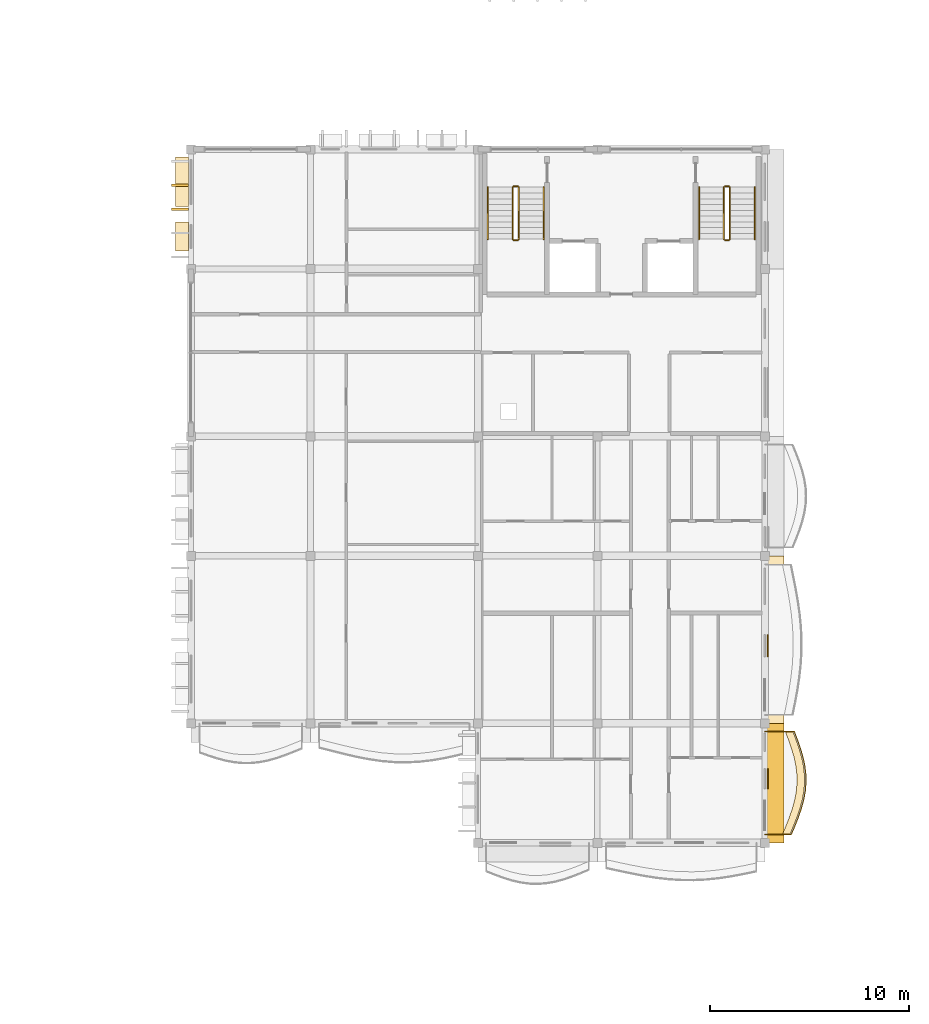
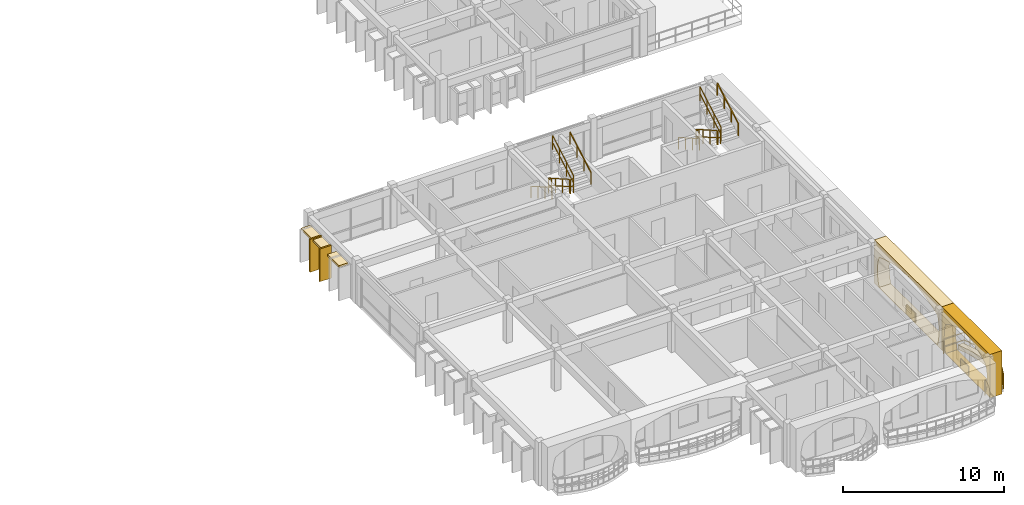
# One storey, part 64 of 68: 13 railings, 9 coverings.
"""IFC4 building model written with IfcOpenShell, lengths in metres."""

import ifcopenshell
import ifcopenshell.guid

model = None  # the IFC model being written
_history = None  # IfcOwnerHistory: only IFC2X3 demands one
_inside = {}  # id of a spatial element -> (the spatial element, [elements in it])
_under = {}  # id of a project, library or spatial element -> (it, [spatial elements below it])
_declared = {}  # id of a project -> (the project, [libraries it declares])
_typed = {}  # id of a type object -> (the type object, [elements of that type])
_made_of = {}  # id of a material, layer set ... -> (it, [elements and type objects made of it])


def new_model(schema):
    """Start an empty IFC model of exactly this schema.

    Asked for "IFC4X3", IfcOpenShell would pick the latest addendum, in which some entities
    have other attributes; the version numbers below select the first issue.
    IFC2X3 requires an IfcOwnerHistory on every rooted entity: one is made here for all.
    """
    global model, _history
    if schema == "IFC4X3":
        model = ifcopenshell.file(schema_version=(4, 3, 0, 0))
    else:
        model = ifcopenshell.file(schema=schema)
    _inside.clear()
    _under.clear()
    _declared.clear()
    _typed.clear()
    _made_of.clear()
    _history = None
    if model.schema == "IFC2X3":
        org = make("IfcOrganization", Name="unknown")
        user = make(
            "IfcPersonAndOrganization",
            ThePerson=make("IfcPerson", FamilyName="unknown"),
            TheOrganization=org,
        )
        app = make(
            "IfcApplication",
            ApplicationDeveloper=org,
            Version="unknown",
            ApplicationFullName="unknown",
            ApplicationIdentifier="unknown",
        )
        _history = make(
            "IfcOwnerHistory",
            OwningUser=user,
            OwningApplication=app,
            ChangeAction="ADDED",
            CreationDate=0,
        )
    return model


def make(cls, **values):
    """One entity of the class cls with the attributes given. An attribute that is None is left unset."""
    return model.create_entity(
        cls, **{name: value for name, value in values.items() if value is not None}
    )


def rooted(cls, **values):
    """An entity with a GlobalId (a new one), such as an element, a storey or a relation."""
    return make(cls, GlobalId=ifcopenshell.guid.new(), OwnerHistory=_history, **values)


def si_unit(unit_type, name, prefix=None):
    """IfcSIUnit, for example si_unit("LENGTHUNIT", "METRE", prefix="MILLI")."""
    return make("IfcSIUnit", UnitType=unit_type, Prefix=prefix, Name=name)


def assignment(units):
    """IfcUnitAssignment: the units of a project."""
    return None if units is None else make("IfcUnitAssignment", Units=units)


def point(xyz):
    """IfcCartesianPoint."""
    return None if xyz is None else make("IfcCartesianPoint", Coordinates=xyz)


def direction(xyz):
    """IfcDirection."""
    return None if xyz is None else make("IfcDirection", DirectionRatios=xyz)


def frame(location, z_axis=None, x_axis=None):
    """IfcAxis2Placement3D, a coordinate frame: its origin and axes. An axis left out is left unset."""
    return make(
        "IfcAxis2Placement3D",
        Location=point(location),
        Axis=direction(z_axis),
        RefDirection=direction(x_axis),
    )


def frame_2d(location, x_axis=None):
    """IfcAxis2Placement2D, a coordinate frame in the plane: its origin and x axis."""
    return make(
        "IfcAxis2Placement2D", Location=point(location), RefDirection=direction(x_axis)
    )


def origin():
    """The frame at (0, 0, 0) with its axes left unset."""
    return frame((0.0, 0.0, 0.0))


def origin_2d():
    """The frame at (0, 0) in the plane with its x axis left unset."""
    return frame_2d((0.0, 0.0))


def place(relative_to, where):
    """IfcLocalPlacement: puts the frame where relative to a parent placement (None: the world)."""
    return make(
        "IfcLocalPlacement", PlacementRelTo=relative_to, RelativePlacement=where
    )


def context(
    kind, dimensions, precision=None, world=None, true_north=None, identifier=None
):
    """IfcGeometricRepresentationContext, for example the 3D "Model" context."""
    return make(
        "IfcGeometricRepresentationContext",
        ContextIdentifier=identifier,
        ContextType=kind,
        CoordinateSpaceDimension=dimensions,
        Precision=precision,
        WorldCoordinateSystem=world,
        TrueNorth=true_north,
    )


def subcontext(parent, identifier, kind, view, scale=None):
    """IfcGeometricRepresentationSubContext, for example "Body" below "Model"."""
    return make(
        "IfcGeometricRepresentationSubContext",
        ContextIdentifier=identifier,
        ContextType=kind,
        ParentContext=parent,
        TargetScale=scale,
        TargetView=view,
    )


def project(units=None, contexts=None):
    """IfcProject with its units and contexts."""
    return rooted(
        "IfcProject",
        Name="project",
        RepresentationContexts=contexts,
        UnitsInContext=assignment(units),
    )


def spatial(cls, under=None, at=None, **own):
    """A site, building, storey or space (cls), placed at a placement, below another one or the project."""
    s = rooted(cls, ObjectPlacement=at, **own)
    if under is not None:
        _under.setdefault(under.id(), (under, []))[1].append(s)
    return s


def polyline(points):
    """IfcPolyline through the points."""
    return make("IfcPolyline", Points=[point(p) for p in points])


def profile(cls, at=None, kind="AREA", **sizes):
    """A parametric profile (cls). Its sizes go by their IFC names, for example OverallWidth=200.0."""
    return make(cls, ProfileType=kind, Position=at, **sizes)


def rectangle(**sizes):
    """IfcRectangleProfileDef."""
    return profile("IfcRectangleProfileDef", **sizes)


def outline(outer, holes=None, kind="AREA"):
    """IfcArbitraryClosedProfileDef: a profile drawn as a closed curve; with holes, ...WithVoids."""
    if holes is None:
        return make("IfcArbitraryClosedProfileDef", ProfileType=kind, OuterCurve=outer)
    return make(
        "IfcArbitraryProfileDefWithVoids",
        ProfileType=kind,
        OuterCurve=outer,
        InnerCurves=holes,
    )


def extrude(swept, where, along, depth):
    """IfcExtrudedAreaSolid: the profile swept, set in the frame where, extruded along a direction by depth."""
    return make(
        "IfcExtrudedAreaSolid",
        SweptArea=swept,
        Position=where,
        ExtrudedDirection=direction(along),
        Depth=depth,
    )


def shape(context_of_items, identifier, shape_type, items):
    """IfcShapeRepresentation: the items that make up one representation, for example the "Body"."""
    return make(
        "IfcShapeRepresentation",
        ContextOfItems=context_of_items,
        RepresentationIdentifier=identifier,
        RepresentationType=shape_type,
        Items=items,
    )


def material(Name=None, Category=None):
    """IfcMaterial."""
    return make("IfcMaterial", Name=Name, Category=Category)


def layer(
    of_material, thickness, ventilated=None, Name=None, Category=None, Priority=None
):
    """IfcMaterialLayer: one layer of a wall or slab, of a material (None: an air gap)."""
    return make(
        "IfcMaterialLayer",
        Material=of_material,
        LayerThickness=thickness,
        IsVentilated=ventilated,
        Name=Name,
        Category=Category,
        Priority=Priority,
    )


def layer_set(layers, Name=None):
    """IfcMaterialLayerSet."""
    return make("IfcMaterialLayerSet", MaterialLayers=layers, LayerSetName=Name)


def made_of(thing, what):
    """Note that an element or type object is made of a material, layer set ...; save() writes the relation."""
    if what is not None:
        _made_of.setdefault(what.id(), (what, []))[1].append(thing)
    return thing


def type_object(cls, material=None, **own):
    """A type object (cls), such as IfcWallType, which elements share."""
    return made_of(rooted(cls, **own), material)


def element(
    cls,
    number,
    at=None,
    inside=None,
    cuts=None,
    type_object=None,
    material=None,
    context=None,
    identifier="Body",
    shape_type=None,
    held_by="IfcProductDefinitionShape",
    body=None,
    shapes=None,
    **own,
):
    """One element of the class cls, such as IfcWall. Its Tag is "e" and its number.

    at: its placement. inside: the storey or other place that contains it. cuts: it is an
    opening in that element (IfcRelVoidsElement). A single representation is given by context,
    identifier, shape_type and body (its items); several are given by shapes. held_by: the class
    of the entity that holds the representations. save() writes the other relations.
    """
    e = rooted(cls, Tag="e%d" % number, ObjectPlacement=at, **own)
    if body is not None:
        shapes = [shape(context, identifier, shape_type, body)]
    if shapes is not None:
        e.Representation = make(held_by, Representations=shapes)
    if inside is not None:
        _inside.setdefault(inside.id(), (inside, []))[1].append(e)
    if cuts is not None:
        rooted(
            "IfcRelVoidsElement", RelatingBuildingElement=cuts, RelatedOpeningElement=e
        )
    if type_object is not None:
        _typed.setdefault(type_object.id(), (type_object, []))[1].append(e)
    return made_of(e, material)


def aggregate(whole, parts):
    """IfcRelAggregates: a whole, such as a stair, and the parts it consists of."""
    return rooted("IfcRelAggregates", RelatingObject=whole, RelatedObjects=parts)


def save(model, path):
    """Write the relations noted so far, then the file.

    IfcRelAggregates (storeys below a building ...), IfcRelContainedInSpatialStructure (elements
    in a storey), IfcRelDefinesByType, IfcRelAssociatesMaterial and IfcRelDeclares: one each for
    every whole, place, type object, material and project.
    """
    for whole, parts in _under.values():
        aggregate(whole, parts)
    for where, things in _inside.values():
        rooted(
            "IfcRelContainedInSpatialStructure",
            RelatedElements=things,
            RelatingStructure=where,
        )
    for kind, things in _typed.values():
        rooted("IfcRelDefinesByType", RelatedObjects=things, RelatingType=kind)
    for what, things in _made_of.values():
        rooted("IfcRelAssociatesMaterial", RelatedObjects=things, RelatingMaterial=what)
    for by, libraries in _declared.values():
        rooted("IfcRelDeclares", RelatingContext=by, RelatedDefinitions=libraries)
    model.write(path)


model = new_model("IFC4")

# Units and contexts
model_context = context("Model", 3, precision=1e-05, world=origin(), true_north=direction((0.0, 1.0)))
body_context = subcontext(model_context, "Body", "Model", "MODEL_VIEW")
ifc_project = project(units=[si_unit("LENGTHUNIT", "METRE"), si_unit("AREAUNIT", "SQUARE_METRE"), si_unit("VOLUMEUNIT", "CUBIC_METRE"), si_unit("PLANEANGLEUNIT", "RADIAN"), si_unit("MASSUNIT", "GRAM", prefix="KILO"), si_unit("THERMODYNAMICTEMPERATUREUNIT", "KELVIN")], contexts=[model_context])

# Site, building, storey
site_placement = place(None, origin())
site = spatial("IfcSite", under=ifc_project, at=site_placement, CompositionType="ELEMENT")
building_placement = place(site_placement, origin())
building = spatial("IfcBuilding", under=site, at=building_placement, Name="Thalorik Housing Commons", CompositionType="ELEMENT")
storey_placement = place(building_placement, frame((0.0, 0.0, 24.60009765625)))
storey = spatial("IfcBuildingStorey", under=building, at=storey_placement, Name="L07", CompositionType="ELEMENT", Elevation=24.60009765625)

# Coverings
ifc_material_1 = material(Name="Cobalt blue glazed ceramic facade tile panel", Category="masonry")
ifc_layer_1 = layer(ifc_material_1, 0.06005859375, Name="Cobalt blue glazed ceramic facade tile panel", Category="masonry")
ifc_layer_set_1 = layer_set([ifc_layer_1], Name="Cobalt blue glazed ceramic facade tile panel")
covering_type_1 = type_object("IfcCoveringType", Name="ARC-CLD-BLU-60", PredefinedType="CLADDING", material=ifc_layer_set_1)
covering_1_placement = place(storey_placement, frame((166.952392578125, 47.10009765625, 0.0498046875), z_axis=(0.0, 0.0, 1.0), x_axis=(0.0, 1.0, 0.0)))
element("IfcCovering", 1, at=covering_1_placement, inside=storey, type_object=covering_type_1, Name="L07 De Stijl Recessed Window Spandrel 5037", PredefinedType="CLADDING", context=body_context, shape_type="SweptSolid", body=[
    extrude(rectangle(XDim=1.10009765625, YDim=0.06005859375, at=origin_2d()), origin(), (0.0, 0.0, 1.0), 0.699951171875),
])
ifc_material_2 = material(Name="Precast concrete C40/50", Category="concrete")
ifc_layer_2 = layer(ifc_material_2, 0.85009765625, Name="Precast concrete C40/50", Category="concrete")
ifc_layer_set_2 = layer_set([ifc_layer_2], Name="Precast concrete C40/50")
covering_type_2 = type_object("IfcCoveringType", Name="ARC-CLD-CUSH-850", PredefinedType="CLADDING", material=ifc_layer_set_2)
covering_2_placement = place(storey_placement, frame((167.342529296875, 40.199951171875, 0.0), z_axis=(0.0, 0.0, 1.0), x_axis=(0.0, 1.0, 0.0)))
element("IfcCovering", 2, at=covering_2_placement, inside=storey, type_object=covering_type_2, Name="L07 White Precast Curved Cushion Bay Frame 5034", PredefinedType="CLADDING", context=body_context, shape_type="SweptSolid", body=[
    extrude(outline(polyline([(-3.0, 0.0), (3.0, 0.0), (3.0, 3.300048828125), (-3.0, 3.300048828125), (-3.0, 0.0)]), holes=[polyline([(2.537841796875, 0.02490234375), (2.635498046875, 0.394287109375), (2.69384765625, 0.76318359375), (2.71337890625, 1.132568359375), (2.69384765625, 1.501708984375), (2.635498046875, 1.870849609375), (2.537841796875, 2.239990234375), (2.123779296875, 2.4833984375), (1.709716796875, 2.6748046875), (1.2958984375, 2.82958984375), (0.8818359375, 2.94482421875), (0.468017578125, 3.01611328125), (0.053955078125, 3.0400390625), (-0.360107421875, 3.01611328125), (-0.774169921875, 2.94482421875), (-1.18798828125, 2.82958984375), (-1.60205078125, 2.6748046875), (-2.01611328125, 2.4833984375), (-2.429931640625, 2.239990234375), (-2.55029296875, 1.870849609375), (-2.62255859375, 1.501708984375), (-2.646484375, 1.132568359375), (-2.62255859375, 0.76318359375), (-2.55029296875, 0.394287109375), (-2.429931640625, 0.02490234375), (2.537841796875, 0.02490234375)])]), frame((0.0, 0.425048828125, 0.0), z_axis=(0.0, -1.0, 0.0), x_axis=(1.0, 0.0, 0.0)), (0.0, 0.0, 1.0), 0.85009765625),
])
covering_3_placement = place(storey_placement, frame((167.342529296875, 47.39990234375, 0.0), z_axis=(0.0, 0.0, 1.0), x_axis=(0.0, 1.0, 0.0)))
element("IfcCovering", 3, at=covering_3_placement, inside=storey, type_object=covering_type_2, Name="L07 White Precast Curved Cushion Bay Frame 5036", PredefinedType="CLADDING", context=body_context, shape_type="SweptSolid", body=[
    extrude(outline(polyline([(-4.199951171875, 0.0), (4.199951171875, 0.0), (4.199951171875, 3.300048828125), (-4.199951171875, 3.300048828125), (-4.199951171875, 0.0)]), holes=[polyline([(3.6201171875, 0.02490234375), (3.742431640625, 0.407470703125), (3.81591796875, 0.7900390625), (3.84033203125, 1.172607421875), (3.81591796875, 1.554931640625), (3.742431640625, 1.9375), (3.6201171875, 2.320068359375), (3.015869140625, 2.539306640625), (2.41162109375, 2.711181640625), (1.8076171875, 2.8505859375), (1.203369140625, 2.954345703125), (0.59912109375, 3.018310546875), (-0.0048828125, 3.0400390625), (-0.609130859375, 3.018310546875), (-1.21337890625, 2.954345703125), (-1.8173828125, 2.8505859375), (-2.421630859375, 2.711181640625), (-3.02587890625, 2.539306640625), (-3.6298828125, 2.320068359375), (-3.750244140625, 1.9375), (-3.822509765625, 1.554931640625), (-3.8466796875, 1.172607421875), (-3.822509765625, 0.7900390625), (-3.750244140625, 0.407470703125), (-3.6298828125, 0.02490234375), (3.6201171875, 0.02490234375)])]), frame((0.0, 0.425048828125, 0.0), z_axis=(0.0, -1.0, 0.0), x_axis=(1.0, 0.0, 0.0)), (0.0, 0.0, 1.0), 0.85009765625),
])
ifc_layer_3 = layer(ifc_material_2, 0.85009765625, Name="Precast concrete C40/50", Category="concrete")
ifc_layer_set_3 = layer_set([ifc_layer_3], Name="Precast concrete C40/50")
covering_type_3 = type_object("IfcCoveringType", Name="ARC-CLD-FIN-850", PredefinedType="CLADDING", material=ifc_layer_set_3)
for number, where, z_axis, x_axis, name in (
    (4, (137.45751953125, 70.199951171875, 0.039794921875), (0.0, 0.0, 1.0), (0.0, -1.0, 0.0), "L07 Courtyard Precast Vertical Brise-Soleil Fin 4997"),
    (5, (137.45751953125, 69.0, 0.039794921875), (0.0, 0.0, 1.0), (0.0, -1.0, 0.0), "L07 Courtyard Precast Vertical Brise-Soleil Fin 4998"),
):
    element("IfcCovering", number, at=place(storey_placement, frame(where, z_axis=z_axis, x_axis=x_axis)), inside=storey, type_object=covering_type_3, Name=name, PredefinedType="CLADDING", context=body_context, shape_type="SweptSolid", body=[
        extrude(rectangle(XDim=0.110107421875, YDim=0.85009765625, at=origin_2d()), origin(), (0.0, 0.0, 1.0), 2.4951171875),
    ])
ifc_layer_4 = layer(ifc_material_2, 0.64990234375, Name="Precast concrete C40/50", Category="concrete")
ifc_layer_set_4 = layer_set([ifc_layer_4], Name="Precast concrete C40/50")
covering_type_4 = type_object("IfcCoveringType", Name="ARC-CLD-HOOD-650", PredefinedType="CLADDING", material=ifc_layer_set_4)
covering_4_placement = place(storey_placement, frame((137.5576171875, 70.3701171875, 2.31005859375), z_axis=(0.0, 0.0, 1.0), x_axis=(0.0, -1.0, 0.0)))
element("IfcCovering", 6, at=covering_4_placement, inside=storey, type_object=covering_type_4, Name="L07 Courtyard Precast Window Sun-Hood 5001", PredefinedType="CLADDING", context=body_context, shape_type="SweptSolid", body=[
    extrude(rectangle(XDim=2.47998046875, YDim=0.64990234375, at=origin_2d()), origin(), (0.0, 0.0, 1.0), 0.139892578125),
])
covering_5_placement = place(storey_placement, frame((137.5576171875, 67.6298828125, 2.2900390625), z_axis=(0.0, 0.0, 1.0), x_axis=(0.0, -1.0, 0.0)))
element("IfcCovering", 7, at=covering_5_placement, inside=storey, type_object=covering_type_4, Name="L07 Courtyard Precast Window Sun-Hood 5002", PredefinedType="CLADDING", context=body_context, shape_type="SweptSolid", body=[
    extrude(rectangle(XDim=1.43994140625, YDim=0.64990234375, at=origin_2d()), origin(), (0.0, 0.0, 1.0), 0.139892578125),
])
ifc_material_3 = material(Name="Terracotta red mineral fibre-cement panel", Category="masonry")
ifc_layer_5 = layer(ifc_material_3, 0.054931640625, Name="Terracotta red mineral fibre-cement panel", Category="masonry")
ifc_layer_set_5 = layer_set([ifc_layer_5], Name="Terracotta red mineral fibre-cement panel")
covering_type_5 = type_object("IfcCoveringType", Name="ARC-CLD-RED-55", PredefinedType="CLADDING", material=ifc_layer_set_5)
covering_6_placement = place(storey_placement, frame((166.949951171875, 40.417724609375, 0.0498046875), z_axis=(0.0, 0.0, 1.0), x_axis=(0.0, 1.0, 0.0)))
element("IfcCovering", 8, at=covering_6_placement, inside=storey, type_object=covering_type_5, Name="L07 De Stijl Recessed Window Spandrel 5035", PredefinedType="CLADDING", context=body_context, shape_type="SweptSolid", body=[
    extrude(rectangle(XDim=1.0, YDim=0.054931640625, at=origin_2d()), origin(), (0.0, 0.0, 1.0), 0.699951171875),
])
ifc_material_4 = material(Name="Planted vegetated substrate and terracotta trough", Category="masonry")
ifc_layer_6 = layer(ifc_material_4, 0.340087890625, Name="Planted vegetated substrate and terracotta trough", Category="masonry")
ifc_layer_set_6 = layer_set([ifc_layer_6], Name="Planted vegetated substrate and terracotta trough")
covering_type_6 = type_object("IfcCoveringType", Name="ARC-COV-PLANTER", PredefinedType="USERDEFINED", material=ifc_layer_set_6)
covering_7_placement = place(storey_placement, origin())
element("IfcCovering", 9, at=covering_7_placement, inside=storey, type_object=covering_type_6, Name="L07 Balcony Slab-Edge Planted Trough 5689", ObjectType="PLANTER", PredefinedType="USERDEFINED", context=body_context, shape_type="SweptSolid", body=[
    extrude(outline(polyline([(168.059326171875, 37.6201171875), (168.2392578125, 38.050048828125), (168.4091796875, 38.47998046875), (168.55810546875, 38.909912109375), (168.676513671875, 39.340087890625), (168.757080078125, 39.77001953125), (168.795166015625, 40.199951171875), (168.78857421875, 40.6298828125), (168.738037109375, 41.06005859375), (168.647705078125, 41.489990234375), (168.52392578125, 41.919921875), (168.375, 42.35009765625), (168.211181640625, 42.780029296875), (167.831298828125, 42.780029296875), (167.9951171875, 42.35009765625), (168.143798828125, 41.919921875), (168.267822265625, 41.489990234375), (168.358154296875, 41.06005859375), (168.408447265625, 40.6298828125), (168.4150390625, 40.199951171875), (168.377197265625, 39.77001953125), (168.29638671875, 39.340087890625), (168.177978515625, 38.909912109375), (168.029296875, 38.47998046875), (167.859375, 38.050048828125), (167.67919921875, 37.6201171875), (168.059326171875, 37.6201171875)])), origin(), (0.0, 0.0, 1.0), 0.33984375),
])

# Railings
ifc_material_5 = material(Name="Steel S355", Category="steel")
railing_type_1 = type_object("IfcRailingType", Name="ARC-RL-BAL-115", PredefinedType="BALUSTRADE", material=ifc_material_5)
railing_1_placement = place(storey_placement, frame((166.800048828125, 37.6201171875, 0.0)))
element("IfcRailing", 10, at=railing_1_placement, inside=storey, type_object=railing_type_1, Name="L07 Cushion Balcony Guardrail 373", PredefinedType="BALUSTRADE", context=body_context, shape_type="SweptSolid", body=[
    extrude(rectangle(XDim=0.050048828125, YDim=0.050048828125, at=origin_2d()), frame((0.0, 0.0, 1.125), z_axis=(1.0, 0.0, 0.0), x_axis=(0.0, 1.0, 0.0)), (0.0, 0.0, 1.0), 1.329345703125),
    extrude(rectangle(XDim=0.050048828125, YDim=0.050048828125, at=origin_2d()), frame((0.0, 0.0, 0.5498046875), z_axis=(1.0, 0.0, 0.0), x_axis=(0.0, 1.0, 0.0)), (0.0, 0.0, 1.0), 1.329345703125),
    extrude(rectangle(XDim=0.050048828125, YDim=0.050048828125, at=origin_2d()), frame((1.329345703125, 0.0, 1.125), z_axis=(0.386065526425, 0.922471359613, 0.0), x_axis=(-0.922471359613, 0.386065526425, 0.0)), (0.0, 0.0, 1.0), 0.466064453125),
    extrude(rectangle(XDim=0.050048828125, YDim=0.050048828125, at=origin_2d()), frame((1.329345703125, 0.0, 0.5498046875), z_axis=(0.386065526425, 0.922471359613, 0.0), x_axis=(-0.922471359613, 0.386065526425, 0.0)), (0.0, 0.0, 1.0), 0.466064453125),
    extrude(rectangle(XDim=0.050048828125, YDim=0.050048828125, at=origin_2d()), frame((1.50927734375, 0.429931640625, 1.125), z_axis=(0.367563294414, 0.929998507848, 0.0), x_axis=(-0.929998507848, 0.367563294414, 0.0)), (0.0, 0.0, 1.0), 0.46240234375),
    extrude(rectangle(XDim=0.050048828125, YDim=0.050048828125, at=origin_2d()), frame((1.50927734375, 0.429931640625, 0.5498046875), z_axis=(0.367563294414, 0.929998507848, 0.0), x_axis=(-0.929998507848, 0.367563294414, 0.0)), (0.0, 0.0, 1.0), 0.46240234375),
    extrude(rectangle(XDim=0.050048828125, YDim=0.050048828125, at=origin_2d()), frame((1.67919921875, 0.85986328125, 1.125), z_axis=(0.326834060317, 0.945081740918, 0.0), x_axis=(-0.945081740918, 0.326834060317, 0.0)), (0.0, 0.0, 1.0), 0.454833984375),
    extrude(rectangle(XDim=0.050048828125, YDim=0.050048828125, at=origin_2d()), frame((1.67919921875, 0.85986328125, 0.5498046875), z_axis=(0.326834060317, 0.945081740918, 0.0), x_axis=(-0.945081740918, 0.326834060317, 0.0)), (0.0, 0.0, 1.0), 0.454833984375),
    extrude(rectangle(XDim=0.050048828125, YDim=0.050048828125, at=origin_2d()), frame((1.827880859375, 1.289794921875, 1.125), z_axis=(0.265893934748, 0.964002290176, 0.0), x_axis=(-0.964002290176, 0.265893934748, 0.0)), (0.0, 0.0, 1.0), 0.4462890625),
    extrude(rectangle(XDim=0.050048828125, YDim=0.050048828125, at=origin_2d()), frame((1.827880859375, 1.289794921875, 0.5498046875), z_axis=(0.265893934748, 0.964002290176, 0.0), x_axis=(-0.964002290176, 0.265893934748, 0.0)), (0.0, 0.0, 1.0), 0.4462890625),
    extrude(rectangle(XDim=0.050048828125, YDim=0.050048828125, at=origin_2d()), frame((1.946533203125, 1.719970703125, 1.125), z_axis=(0.18418743634, 0.98289113756, 0.0), x_axis=(-0.98289113756, 0.18418743634, 0.0)), (0.0, 0.0, 1.0), 0.4375),
    extrude(rectangle(XDim=0.050048828125, YDim=0.050048828125, at=origin_2d()), frame((1.946533203125, 1.719970703125, 0.5498046875), z_axis=(0.18418743634, 0.98289113756, 0.0), x_axis=(-0.98289113756, 0.18418743634, 0.0)), (0.0, 0.0, 1.0), 0.4375),
    extrude(rectangle(XDim=0.050048828125, YDim=0.050048828125, at=origin_2d()), frame((2.027099609375, 2.14990234375, 1.125), z_axis=(0.087679192705, 0.996148763572, 0.0), x_axis=(-0.996148763572, 0.087679192705, 0.0)), (0.0, 0.0, 1.0), 0.431640625),
    extrude(rectangle(XDim=0.050048828125, YDim=0.050048828125, at=origin_2d()), frame((2.027099609375, 2.14990234375, 0.5498046875), z_axis=(0.087679192705, 0.996148763572, 0.0), x_axis=(-0.996148763572, 0.087679192705, 0.0)), (0.0, 0.0, 1.0), 0.431640625),
    extrude(rectangle(XDim=0.050048828125, YDim=0.050048828125, at=origin_2d()), frame((2.06494140625, 2.579833984375, 1.125), z_axis=(-0.015330395815, 0.999882482577, 0.0), x_axis=(-0.999882482577, -0.015330395815, 0.0)), (0.0, 0.0, 1.0), 0.429931640625),
    extrude(rectangle(XDim=0.050048828125, YDim=0.050048828125, at=origin_2d()), frame((2.06494140625, 2.579833984375, 0.5498046875), z_axis=(-0.015330395815, 0.999882482577, 0.0), x_axis=(-0.999882482577, -0.015330395815, 0.0)), (0.0, 0.0, 1.0), 0.429931640625),
    extrude(rectangle(XDim=0.050048828125, YDim=0.050048828125, at=origin_2d()), frame((2.058349609375, 3.009765625, 1.125), z_axis=(-0.116121684941, 0.993234994494, 0.0), x_axis=(-0.993234994494, -0.116121684941, 0.0)), (0.0, 0.0, 1.0), 0.43310546875),
    extrude(rectangle(XDim=0.050048828125, YDim=0.050048828125, at=origin_2d()), frame((2.058349609375, 3.009765625, 0.5498046875), z_axis=(-0.116121684941, 0.993234994494, 0.0), x_axis=(-0.993234994494, -0.116121684941, 0.0)), (0.0, 0.0, 1.0), 0.43310546875),
    extrude(rectangle(XDim=0.050048828125, YDim=0.050048828125, at=origin_2d()), frame((2.008056640625, 3.43994140625, 1.125), z_axis=(-0.205618361249, 0.978632254484, 0.0), x_axis=(-0.978632254484, -0.205618361249, 0.0)), (0.0, 0.0, 1.0), 0.439208984375),
    extrude(rectangle(XDim=0.050048828125, YDim=0.050048828125, at=origin_2d()), frame((2.008056640625, 3.43994140625, 0.5498046875), z_axis=(-0.205618361249, 0.978632254484, 0.0), x_axis=(-0.978632254484, -0.205618361249, 0.0)), (0.0, 0.0, 1.0), 0.439208984375),
    extrude(rectangle(XDim=0.050048828125, YDim=0.050048828125, at=origin_2d()), frame((1.917724609375, 3.869873046875, 1.125), z_axis=(-0.27666652836, 0.960965989037, 0.0), x_axis=(-0.960965989037, -0.27666652836, 0.0)), (0.0, 0.0, 1.0), 0.447509765625),
    extrude(rectangle(XDim=0.050048828125, YDim=0.050048828125, at=origin_2d()), frame((1.917724609375, 3.869873046875, 0.5498046875), z_axis=(-0.27666652836, 0.960965989037, 0.0), x_axis=(-0.960965989037, -0.27666652836, 0.0)), (0.0, 0.0, 1.0), 0.447509765625),
    extrude(rectangle(XDim=0.050048828125, YDim=0.050048828125, at=origin_2d()), frame((1.7939453125, 4.2998046875, 1.125), z_axis=(-0.327147403761, 0.944973320371, 0.0), x_axis=(-0.944973320371, -0.327147403761, 0.0)), (0.0, 0.0, 1.0), 0.455322265625),
    extrude(rectangle(XDim=0.050048828125, YDim=0.050048828125, at=origin_2d()), frame((1.7939453125, 4.2998046875, 0.5498046875), z_axis=(-0.327147403761, 0.944973320371, 0.0), x_axis=(-0.944973320371, -0.327147403761, 0.0)), (0.0, 0.0, 1.0), 0.455322265625),
    extrude(rectangle(XDim=0.050048828125, YDim=0.050048828125, at=origin_2d()), frame((1.64501953125, 4.72998046875, 1.125), z_axis=(-0.35606152574, 0.934462513902, 0.0), x_axis=(-0.934462513902, -0.35606152574, 0.0)), (0.0, 0.0, 1.0), 0.460205078125),
    extrude(rectangle(XDim=0.050048828125, YDim=0.050048828125, at=origin_2d()), frame((1.64501953125, 4.72998046875, 0.5498046875), z_axis=(-0.35606152574, 0.934462513902, 0.0), x_axis=(-0.934462513902, -0.35606152574, 0.0)), (0.0, 0.0, 1.0), 0.460205078125),
    extrude(rectangle(XDim=0.050048828125, YDim=0.050048828125, at=origin_2d()), frame((1.481201171875, 5.159912109375, 1.125), z_axis=(-1.0, 0.0, 0.0), x_axis=(0.0, -1.0, 0.0)), (0.0, 0.0, 1.0), 1.481201171875),
    extrude(rectangle(XDim=0.050048828125, YDim=0.050048828125, at=origin_2d()), frame((1.481201171875, 5.159912109375, 0.5498046875), z_axis=(-1.0, 0.0, 0.0), x_axis=(0.0, -1.0, 0.0)), (0.0, 0.0, 1.0), 1.481201171875),
    extrude(rectangle(XDim=0.0419921875, YDim=0.0419921875, at=origin_2d()), origin(), (0.0, 0.0, 1.0), 1.099853515625),
    extrude(rectangle(XDim=0.0419921875, YDim=0.0419921875, at=origin_2d()), frame((1.329345703125, 0.0, 0.0)), (0.0, 0.0, 1.0), 1.099853515625),
    extrude(rectangle(XDim=0.0419921875, YDim=0.0419921875, at=origin_2d()), frame((1.50927734375, 0.429931640625, 0.0)), (0.0, 0.0, 1.0), 1.099853515625),
    extrude(rectangle(XDim=0.0419921875, YDim=0.0419921875, at=origin_2d()), frame((1.67919921875, 0.85986328125, 0.0)), (0.0, 0.0, 1.0), 1.099853515625),
    extrude(rectangle(XDim=0.0419921875, YDim=0.0419921875, at=origin_2d()), frame((1.827880859375, 1.289794921875, 0.0)), (0.0, 0.0, 1.0), 1.099853515625),
    extrude(rectangle(XDim=0.0419921875, YDim=0.0419921875, at=origin_2d()), frame((1.946533203125, 1.719970703125, 0.0)), (0.0, 0.0, 1.0), 1.099853515625),
    extrude(rectangle(XDim=0.0419921875, YDim=0.0419921875, at=origin_2d()), frame((2.027099609375, 2.14990234375, 0.0)), (0.0, 0.0, 1.0), 1.099853515625),
    extrude(rectangle(XDim=0.0419921875, YDim=0.0419921875, at=origin_2d()), frame((2.06494140625, 2.579833984375, 0.0)), (0.0, 0.0, 1.0), 1.099853515625),
    extrude(rectangle(XDim=0.0419921875, YDim=0.0419921875, at=origin_2d()), frame((2.058349609375, 3.009765625, 0.0)), (0.0, 0.0, 1.0), 1.099853515625),
    extrude(rectangle(XDim=0.0419921875, YDim=0.0419921875, at=origin_2d()), frame((2.008056640625, 3.43994140625, 0.0)), (0.0, 0.0, 1.0), 1.099853515625),
    extrude(rectangle(XDim=0.0419921875, YDim=0.0419921875, at=origin_2d()), frame((1.917724609375, 3.869873046875, 0.0)), (0.0, 0.0, 1.0), 1.099853515625),
    extrude(rectangle(XDim=0.0419921875, YDim=0.0419921875, at=origin_2d()), frame((1.7939453125, 4.2998046875, 0.0)), (0.0, 0.0, 1.0), 1.099853515625),
    extrude(rectangle(XDim=0.0419921875, YDim=0.0419921875, at=origin_2d()), frame((1.64501953125, 4.72998046875, 0.0)), (0.0, 0.0, 1.0), 1.099853515625),
    extrude(rectangle(XDim=0.0419921875, YDim=0.0419921875, at=origin_2d()), frame((1.481201171875, 5.159912109375, 0.0)), (0.0, 0.0, 1.0), 1.099853515625),
    extrude(rectangle(XDim=0.0419921875, YDim=0.0419921875, at=origin_2d()), frame((0.0, 5.159912109375, 0.0)), (0.0, 0.0, 1.0), 1.099853515625),
])
railing_type_2 = type_object("IfcRailingType", Name="ARC-RL-STR-GRD110", PredefinedType="GUARDRAIL", material=ifc_material_5)
railing_2_placement = place(storey_placement, frame((154.14990234375, 70.10009765625, 0.164794921875)))
element("IfcRailing", 11, at=railing_2_placement, inside=storey, type_object=railing_type_2, Name="L07 ST-D1 stair guard 1", PredefinedType="GUARDRAIL", context=body_context, shape_type="SweptSolid", body=[
    extrude(rectangle(XDim=0.048095703125, YDim=0.048095703125, at=origin_2d()), frame((0.0, 0.0, 1.076171875), z_axis=(0.0, -0.869157204687, 0.49453589712), x_axis=(1.0, 0.0, 0.0)), (0.0, 0.0, 1.0), 3.0029296875),
    extrude(rectangle(XDim=0.048095703125, YDim=0.048095703125, at=origin_2d()), frame((0.0, 0.0, 0.52587890625), z_axis=(0.0, -0.869157204687, 0.49453589712), x_axis=(1.0, 0.0, 0.0)), (0.0, 0.0, 1.0), 3.0029296875),
    extrude(rectangle(XDim=0.0419921875, YDim=0.0419921875, at=origin_2d()), origin(), (0.0, 0.0, 1.0), 1.052001953125),
    extrude(rectangle(XDim=0.0419921875, YDim=0.0419921875, at=origin_2d()), frame((0.0, -0.8701171875, 0.4951171875)), (0.0, 0.0, 1.0), 1.052001953125),
    extrude(rectangle(XDim=0.0419921875, YDim=0.0419921875, at=origin_2d()), frame((0.0, -1.739990234375, 0.989990234375)), (0.0, 0.0, 1.0), 1.052001953125),
    extrude(rectangle(XDim=0.0419921875, YDim=0.0419921875, at=origin_2d()), frame((0.0, -2.610107421875, 1.485107421875)), (0.0, 0.0, 1.0), 1.052001953125),
])
railing_3_placement = place(storey_placement, frame((154.199951171875, 67.43994140625, 1.64990234375)))
element("IfcRailing", 12, at=railing_3_placement, inside=storey, type_object=railing_type_2, Name="L07 ST-D1 stair guard 2", PredefinedType="GUARDRAIL", context=body_context, shape_type="SweptSolid", body=[
    extrude(rectangle(XDim=0.048095703125, YDim=0.048095703125, at=origin_2d()), frame((0.0, 0.0, 1.076171875), z_axis=(1.0, 0.0, 0.0), x_axis=(0.0, 1.0, 0.0)), (0.0, 0.0, 1.0), 0.199951171875),
    extrude(rectangle(XDim=0.048095703125, YDim=0.048095703125, at=origin_2d()), frame((0.0, 0.0, 0.52587890625), z_axis=(1.0, 0.0, 0.0), x_axis=(0.0, 1.0, 0.0)), (0.0, 0.0, 1.0), 0.199951171875),
    extrude(rectangle(XDim=0.0419921875, YDim=0.0419921875, at=origin_2d()), origin(), (0.0, 0.0, 1.0), 1.052001953125),
    extrude(rectangle(XDim=0.0419921875, YDim=0.0419921875, at=origin_2d()), frame((0.199951171875, 0.0, 0.0)), (0.0, 0.0, 1.0), 1.052001953125),
])
railing_4_placement = place(storey_placement, frame((154.449951171875, 67.489990234375, 1.81494140625)))
element("IfcRailing", 13, at=railing_4_placement, inside=storey, type_object=railing_type_2, Name="L07 ST-D1 stair guard 3", PredefinedType="GUARDRAIL", context=body_context, shape_type="SweptSolid", body=[
    extrude(rectangle(XDim=0.048095703125, YDim=0.048095703125, at=origin_2d()), frame((0.0, 0.0, 1.076171875), z_axis=(0.0, 0.869192148207, 0.494474478103), x_axis=(-1.0, 0.0, 0.0)), (0.0, 0.0, 1.0), 3.0029296875),
    extrude(rectangle(XDim=0.048095703125, YDim=0.048095703125, at=origin_2d()), frame((0.0, 0.0, 0.52587890625), z_axis=(0.0, 0.869192148207, 0.494474478103), x_axis=(-1.0, 0.0, 0.0)), (0.0, 0.0, 1.0), 3.0029296875),
    extrude(rectangle(XDim=0.0419921875, YDim=0.0419921875, at=origin_2d()), origin(), (0.0, 0.0, 1.0), 1.052001953125),
    extrude(rectangle(XDim=0.0419921875, YDim=0.0419921875, at=origin_2d()), frame((0.0, 0.8701171875, 0.494873046875)), (0.0, 0.0, 1.0), 1.052001953125),
    extrude(rectangle(XDim=0.0419921875, YDim=0.0419921875, at=origin_2d()), frame((0.0, 1.739990234375, 0.989990234375)), (0.0, 0.0, 1.0), 1.052001953125),
    extrude(rectangle(XDim=0.0419921875, YDim=0.0419921875, at=origin_2d()), frame((0.0, 2.610107421875, 1.48486328125)), (0.0, 0.0, 1.0), 1.052001953125),
])
railing_5_placement = place(storey_placement, frame((154.199951171875, 70.14990234375, 0.0)))
element("IfcRailing", 14, at=railing_5_placement, inside=storey, type_object=railing_type_2, Name="L07 ST-D1 stair guard 4", PredefinedType="GUARDRAIL", context=body_context, shape_type="SweptSolid", body=[
    extrude(rectangle(XDim=0.048095703125, YDim=0.048095703125, at=origin_2d()), frame((0.0, 0.0, 1.076171875), z_axis=(1.0, 0.0, 0.0), x_axis=(0.0, 1.0, 0.0)), (0.0, 0.0, 1.0), 0.199951171875),
    extrude(rectangle(XDim=0.048095703125, YDim=0.048095703125, at=origin_2d()), frame((0.0, 0.0, 0.52587890625), z_axis=(1.0, 0.0, 0.0), x_axis=(0.0, 1.0, 0.0)), (0.0, 0.0, 1.0), 0.199951171875),
    extrude(rectangle(XDim=0.0419921875, YDim=0.0419921875, at=origin_2d()), origin(), (0.0, 0.0, 1.0), 1.052001953125),
    extrude(rectangle(XDim=0.0419921875, YDim=0.0419921875, at=origin_2d()), frame((0.199951171875, 0.0, 0.0)), (0.0, 0.0, 1.0), 1.052001953125),
])
railing_6_placement = place(storey_placement, frame((164.75, 70.10009765625, 0.164794921875)))
element("IfcRailing", 15, at=railing_6_placement, inside=storey, type_object=railing_type_2, Name="L07 ST-D2 stair guard 1", PredefinedType="GUARDRAIL", context=body_context, shape_type="SweptSolid", body=[
    extrude(rectangle(XDim=0.048095703125, YDim=0.048095703125, at=origin_2d()), frame((0.0, 0.0, 1.076171875), z_axis=(0.0, -0.869157204687, 0.49453589712), x_axis=(1.0, 0.0, 0.0)), (0.0, 0.0, 1.0), 3.0029296875),
    extrude(rectangle(XDim=0.048095703125, YDim=0.048095703125, at=origin_2d()), frame((0.0, 0.0, 0.52587890625), z_axis=(0.0, -0.869157204687, 0.49453589712), x_axis=(1.0, 0.0, 0.0)), (0.0, 0.0, 1.0), 3.0029296875),
    extrude(rectangle(XDim=0.0419921875, YDim=0.0419921875, at=origin_2d()), origin(), (0.0, 0.0, 1.0), 1.052001953125),
    extrude(rectangle(XDim=0.0419921875, YDim=0.0419921875, at=origin_2d()), frame((0.0, -0.8701171875, 0.4951171875)), (0.0, 0.0, 1.0), 1.052001953125),
    extrude(rectangle(XDim=0.0419921875, YDim=0.0419921875, at=origin_2d()), frame((0.0, -1.739990234375, 0.989990234375)), (0.0, 0.0, 1.0), 1.052001953125),
    extrude(rectangle(XDim=0.0419921875, YDim=0.0419921875, at=origin_2d()), frame((0.0, -2.610107421875, 1.485107421875)), (0.0, 0.0, 1.0), 1.052001953125),
])
railing_7_placement = place(storey_placement, frame((164.800048828125, 67.43994140625, 1.64990234375)))
element("IfcRailing", 16, at=railing_7_placement, inside=storey, type_object=railing_type_2, Name="L07 ST-D2 stair guard 2", PredefinedType="GUARDRAIL", context=body_context, shape_type="SweptSolid", body=[
    extrude(rectangle(XDim=0.048095703125, YDim=0.048095703125, at=origin_2d()), frame((0.0, 0.0, 1.076171875), z_axis=(1.0, 0.0, 0.0), x_axis=(0.0, 1.0, 0.0)), (0.0, 0.0, 1.0), 0.199951171875),
    extrude(rectangle(XDim=0.048095703125, YDim=0.048095703125, at=origin_2d()), frame((0.0, 0.0, 0.52587890625), z_axis=(1.0, 0.0, 0.0), x_axis=(0.0, 1.0, 0.0)), (0.0, 0.0, 1.0), 0.199951171875),
    extrude(rectangle(XDim=0.0419921875, YDim=0.0419921875, at=origin_2d()), origin(), (0.0, 0.0, 1.0), 1.052001953125),
    extrude(rectangle(XDim=0.0419921875, YDim=0.0419921875, at=origin_2d()), frame((0.199951171875, 0.0, 0.0)), (0.0, 0.0, 1.0), 1.052001953125),
])
railing_8_placement = place(storey_placement, frame((165.050048828125, 67.489990234375, 1.81494140625)))
element("IfcRailing", 17, at=railing_8_placement, inside=storey, type_object=railing_type_2, Name="L07 ST-D2 stair guard 3", PredefinedType="GUARDRAIL", context=body_context, shape_type="SweptSolid", body=[
    extrude(rectangle(XDim=0.048095703125, YDim=0.048095703125, at=origin_2d()), frame((0.0, 0.0, 1.076171875), z_axis=(0.0, 0.869192148207, 0.494474478103), x_axis=(-1.0, 0.0, 0.0)), (0.0, 0.0, 1.0), 3.0029296875),
    extrude(rectangle(XDim=0.048095703125, YDim=0.048095703125, at=origin_2d()), frame((0.0, 0.0, 0.52587890625), z_axis=(0.0, 0.869192148207, 0.494474478103), x_axis=(-1.0, 0.0, 0.0)), (0.0, 0.0, 1.0), 3.0029296875),
    extrude(rectangle(XDim=0.0419921875, YDim=0.0419921875, at=origin_2d()), origin(), (0.0, 0.0, 1.0), 1.052001953125),
    extrude(rectangle(XDim=0.0419921875, YDim=0.0419921875, at=origin_2d()), frame((0.0, 0.8701171875, 0.494873046875)), (0.0, 0.0, 1.0), 1.052001953125),
    extrude(rectangle(XDim=0.0419921875, YDim=0.0419921875, at=origin_2d()), frame((0.0, 1.739990234375, 0.989990234375)), (0.0, 0.0, 1.0), 1.052001953125),
    extrude(rectangle(XDim=0.0419921875, YDim=0.0419921875, at=origin_2d()), frame((0.0, 2.610107421875, 1.48486328125)), (0.0, 0.0, 1.0), 1.052001953125),
])
railing_9_placement = place(storey_placement, frame((164.800048828125, 70.14990234375, 0.0)))
element("IfcRailing", 18, at=railing_9_placement, inside=storey, type_object=railing_type_2, Name="L07 ST-D2 stair guard 4", PredefinedType="GUARDRAIL", context=body_context, shape_type="SweptSolid", body=[
    extrude(rectangle(XDim=0.048095703125, YDim=0.048095703125, at=origin_2d()), frame((0.0, 0.0, 1.076171875), z_axis=(1.0, 0.0, 0.0), x_axis=(0.0, 1.0, 0.0)), (0.0, 0.0, 1.0), 0.199951171875),
    extrude(rectangle(XDim=0.048095703125, YDim=0.048095703125, at=origin_2d()), frame((0.0, 0.0, 0.52587890625), z_axis=(1.0, 0.0, 0.0), x_axis=(0.0, 1.0, 0.0)), (0.0, 0.0, 1.0), 0.199951171875),
    extrude(rectangle(XDim=0.0419921875, YDim=0.0419921875, at=origin_2d()), origin(), (0.0, 0.0, 1.0), 1.052001953125),
    extrude(rectangle(XDim=0.0419921875, YDim=0.0419921875, at=origin_2d()), frame((0.199951171875, 0.0, 0.0)), (0.0, 0.0, 1.0), 1.052001953125),
])
railing_type_3 = type_object("IfcRailingType", Name="ARC-RL-STR-HR092", PredefinedType="HANDRAIL", material=ifc_material_5)
railing_10_placement = place(storey_placement, frame((152.89990234375, 70.10009765625, 0.164794921875)))
element("IfcRailing", 19, at=railing_10_placement, inside=storey, type_object=railing_type_3, Name="L07 ST-D1 stair handrail 1", PredefinedType="HANDRAIL", context=body_context, shape_type="SweptSolid", body=[
    extrude(rectangle(XDim=0.048095703125, YDim=0.048095703125, at=origin_2d()), frame((0.0, 0.0, 0.89599609375), z_axis=(0.0, -0.869157204687, 0.49453589712), x_axis=(1.0, 0.0, 0.0)), (0.0, 0.0, 1.0), 3.0029296875),
    extrude(rectangle(XDim=0.0419921875, YDim=0.0419921875, at=origin_2d()), origin(), (0.0, 0.0, 1.0), 0.871826171875),
    extrude(rectangle(XDim=0.0419921875, YDim=0.0419921875, at=origin_2d()), frame((0.0, -0.8701171875, 0.4951171875)), (0.0, 0.0, 1.0), 0.871826171875),
    extrude(rectangle(XDim=0.0419921875, YDim=0.0419921875, at=origin_2d()), frame((0.0, -1.739990234375, 0.989990234375)), (0.0, 0.0, 1.0), 0.871826171875),
    extrude(rectangle(XDim=0.0419921875, YDim=0.0419921875, at=origin_2d()), frame((0.0, -2.610107421875, 1.485107421875)), (0.0, 0.0, 1.0), 0.871826171875),
])
railing_11_placement = place(storey_placement, frame((155.699951171875, 67.489990234375, 1.81494140625)))
element("IfcRailing", 20, at=railing_11_placement, inside=storey, type_object=railing_type_3, Name="L07 ST-D1 stair handrail 2", PredefinedType="HANDRAIL", context=body_context, shape_type="SweptSolid", body=[
    extrude(rectangle(XDim=0.048095703125, YDim=0.048095703125, at=origin_2d()), frame((0.0, 0.0, 0.89599609375), z_axis=(0.0, 0.869192148207, 0.494474478103), x_axis=(-1.0, 0.0, 0.0)), (0.0, 0.0, 1.0), 3.0029296875),
    extrude(rectangle(XDim=0.0419921875, YDim=0.0419921875, at=origin_2d()), origin(), (0.0, 0.0, 1.0), 0.871826171875),
    extrude(rectangle(XDim=0.0419921875, YDim=0.0419921875, at=origin_2d()), frame((0.0, 0.8701171875, 0.494873046875)), (0.0, 0.0, 1.0), 0.871826171875),
    extrude(rectangle(XDim=0.0419921875, YDim=0.0419921875, at=origin_2d()), frame((0.0, 1.739990234375, 0.989990234375)), (0.0, 0.0, 1.0), 0.871826171875),
    extrude(rectangle(XDim=0.0419921875, YDim=0.0419921875, at=origin_2d()), frame((0.0, 2.610107421875, 1.48486328125)), (0.0, 0.0, 1.0), 0.871826171875),
])
railing_12_placement = place(storey_placement, frame((163.5, 70.10009765625, 0.164794921875)))
element("IfcRailing", 21, at=railing_12_placement, inside=storey, type_object=railing_type_3, Name="L07 ST-D2 stair handrail 1", PredefinedType="HANDRAIL", context=body_context, shape_type="SweptSolid", body=[
    extrude(rectangle(XDim=0.048095703125, YDim=0.048095703125, at=origin_2d()), frame((0.0, 0.0, 0.89599609375), z_axis=(0.0, -0.869157204687, 0.49453589712), x_axis=(1.0, 0.0, 0.0)), (0.0, 0.0, 1.0), 3.0029296875),
    extrude(rectangle(XDim=0.0419921875, YDim=0.0419921875, at=origin_2d()), origin(), (0.0, 0.0, 1.0), 0.871826171875),
    extrude(rectangle(XDim=0.0419921875, YDim=0.0419921875, at=origin_2d()), frame((0.0, -0.8701171875, 0.4951171875)), (0.0, 0.0, 1.0), 0.871826171875),
    extrude(rectangle(XDim=0.0419921875, YDim=0.0419921875, at=origin_2d()), frame((0.0, -1.739990234375, 0.989990234375)), (0.0, 0.0, 1.0), 0.871826171875),
    extrude(rectangle(XDim=0.0419921875, YDim=0.0419921875, at=origin_2d()), frame((0.0, -2.610107421875, 1.485107421875)), (0.0, 0.0, 1.0), 0.871826171875),
])
railing_13_placement = place(storey_placement, frame((166.300048828125, 67.489990234375, 1.81494140625)))
element("IfcRailing", 22, at=railing_13_placement, inside=storey, type_object=railing_type_3, Name="L07 ST-D2 stair handrail 2", PredefinedType="HANDRAIL", context=body_context, shape_type="SweptSolid", body=[
    extrude(rectangle(XDim=0.048095703125, YDim=0.048095703125, at=origin_2d()), frame((0.0, 0.0, 0.89599609375), z_axis=(0.0, 0.869192148207, 0.494474478103), x_axis=(-1.0, 0.0, 0.0)), (0.0, 0.0, 1.0), 3.0029296875),
    extrude(rectangle(XDim=0.0419921875, YDim=0.0419921875, at=origin_2d()), origin(), (0.0, 0.0, 1.0), 0.871826171875),
    extrude(rectangle(XDim=0.0419921875, YDim=0.0419921875, at=origin_2d()), frame((0.0, 0.8701171875, 0.494873046875)), (0.0, 0.0, 1.0), 0.871826171875),
    extrude(rectangle(XDim=0.0419921875, YDim=0.0419921875, at=origin_2d()), frame((0.0, 1.739990234375, 0.989990234375)), (0.0, 0.0, 1.0), 0.871826171875),
    extrude(rectangle(XDim=0.0419921875, YDim=0.0419921875, at=origin_2d()), frame((0.0, 2.610107421875, 1.48486328125)), (0.0, 0.0, 1.0), 0.871826171875),
])

save(model, "model.ifc")
